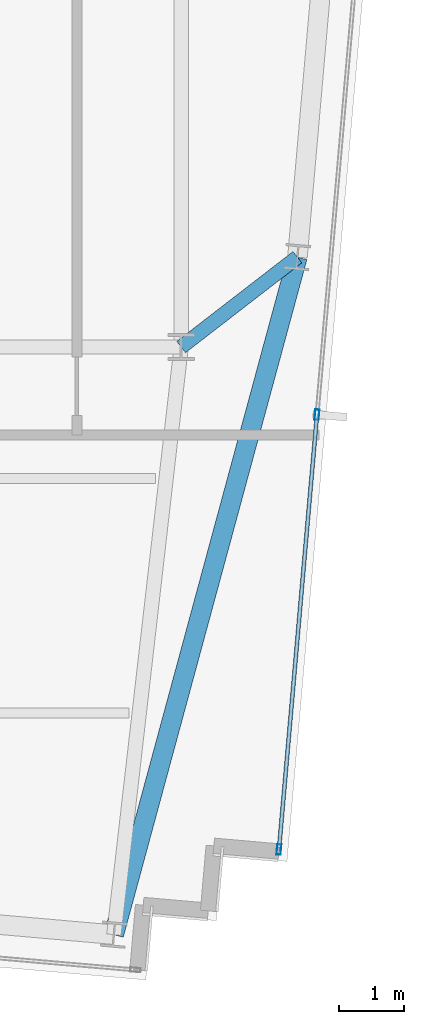
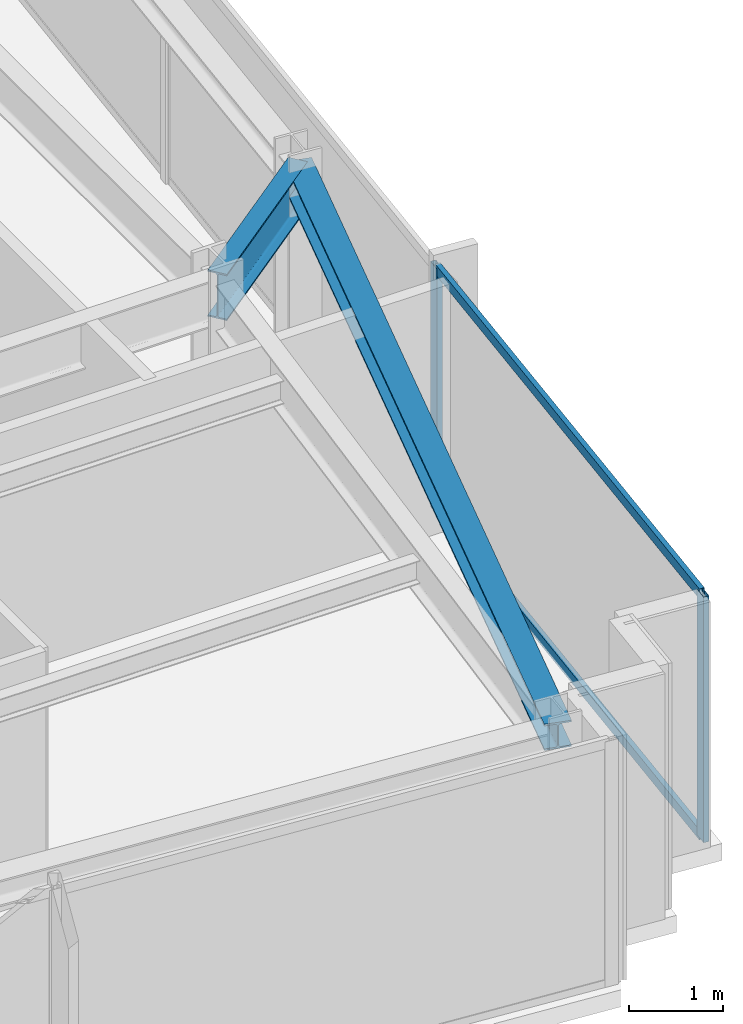
# One storey, part 16 of 33: 4 members, 2 beams, 1 element without a shape of its own.
"""IFC4 building model written with IfcOpenShell, lengths in metres."""

from ifc_helpers import new_model, si_unit, direction, frame, origin, origin_2d, place, context, subcontext, project, spatial, hollow_rectangle, i_section, extrude, material, material_profile, profile_set, type_object, element, aggregate, save


model = new_model("IFC4")

# Units and contexts
model_context = context("Model", 3, precision=1e-05, world=origin(), true_north=direction((0.0, 1.0)))
body_context = subcontext(model_context, "Body", "Model", "MODEL_VIEW")
ifc_project = project(units=[si_unit("LENGTHUNIT", "METRE"), si_unit("AREAUNIT", "SQUARE_METRE"), si_unit("VOLUMEUNIT", "CUBIC_METRE"), si_unit("PLANEANGLEUNIT", "RADIAN"), si_unit("MASSUNIT", "GRAM", prefix="KILO")], contexts=[model_context])

# Site, building, storey
site_placement = place(None, origin())
site = spatial("IfcSite", under=ifc_project, at=site_placement, CompositionType="ELEMENT")
building_placement = place(site_placement, origin())
building = spatial("IfcBuilding", under=site, at=building_placement, Name="Yelkora Congress Tower", CompositionType="ELEMENT")
storey_placement = place(building_placement, frame((0.0, 0.0, 289.699951171875)))
storey = spatial("IfcBuildingStorey", under=building, at=storey_placement, Name="L81", CompositionType="ELEMENT", Elevation=289.699951171875)

# Beams
ifc_material_1 = material(Name="Steel S355J2", Category="steel")
ifc_material_profile_1 = material_profile(ifc_material_1, i_section(OverallWidth=0.219970703125, OverallDepth=0.60009765625, WebThickness=0.011962890625, FlangeThickness=0.01904296875, FilletRadius=0.02392578125, at=origin_2d()), Name="IPE 600")
ifc_profile_set_1 = profile_set([ifc_material_profile_1], Name="Steel S355J2")
beam_type_1 = type_object("IfcBeamType", Name="BM-GIRD-IPE600", PredefinedType="BEAM", material=ifc_profile_set_1)
beam_1_placement = place(storey_placement, frame((55.543701171875, 26.57861328125, 2.880126953125), z_axis=(-0.791208781933, -0.611546125318, 0.0), x_axis=(0.611546125318, -0.791208781933, 0.0)))
element("IfcBeam", 1, at=beam_1_placement, inside=storey, type_object=beam_type_1, Name="L81 Primary Frame Girder E01", PredefinedType="BEAM", context=body_context, shape_type="SweptSolid", body=[
    extrude(i_section(OverallWidth=0.219970703125, OverallDepth=0.60009765625, WebThickness=0.011962890625, FlangeThickness=0.01904296875, FilletRadius=0.02392578125, at=origin_2d()), origin(), (0.0, 0.0, 1.0), 2.25439453125),
])
ifc_material_profile_2 = material_profile(ifc_material_1, i_section(OverallWidth=0.300048828125, OverallDepth=0.340087890625, WebThickness=0.011962890625, FlangeThickness=0.021484375, FilletRadius=0.027099609375, at=origin_2d()), Name="HEB 340")
ifc_profile_set_2 = profile_set([ifc_material_profile_2], Name="Steel S355J2")
beam_type_2 = type_object("IfcBeamType", Name="BM-SPAN-HEB340", PredefinedType="SPANDREL", material=ifc_profile_set_2)
beam_2_placement = place(storey_placement, frame((52.727294921875, 16.1845703125, 3.010009765625), z_axis=(0.261532523212, 0.965194663942, 0.0), x_axis=(-0.965194663942, 0.261532523212, 0.0)))
element("IfcBeam", 2, at=beam_2_placement, inside=storey, type_object=beam_type_2, Name="L81 Perimeter Beam 7", PredefinedType="SPANDREL", context=body_context, shape_type="SweptSolid", body=[
    extrude(i_section(OverallWidth=0.300048828125, OverallDepth=0.340087890625, WebThickness=0.011962890625, FlangeThickness=0.021484375, FilletRadius=0.027099609375, at=origin_2d()), origin(), (0.0, 0.0, 1.0), 10.768798828125),
])

# Curtain wall, members
ifc_material_2 = material(Name="Anodised aluminium and insulated glass", Category="aluminium")
curtain_wall_type = type_object("IfcCurtainWallType", Name="CW-SYS-B5", PredefinedType="NOTDEFINED", material=ifc_material_2)
curtain_wall_placement = place(storey_placement, origin())
curtain_wall = element("IfcCurtainWall", 3, at=curtain_wall_placement, inside=storey, type_object=curtain_wall_type, Name="L81 Unitised Curtain Wall 15", PredefinedType="NOTDEFINED")
ifc_material_3 = material(Name="Anodised aluminium 6063-T6", Category="aluminium")
ifc_material_profile_3 = material_profile(ifc_material_3, hollow_rectangle(XDim=0.06494140625, YDim=0.159912109375, WallThickness=0.00390625, at=origin_2d()), Name="ALU 65x160x4")
ifc_profile_set_3 = profile_set([ifc_material_profile_3], Name="Anodised aluminium 6063-T6")
member_type_1 = type_object("IfcMemberType", Name="MEM-ML-B5", PredefinedType="MULLION", material=ifc_profile_set_3)
member_1_placement = place(storey_placement, frame((55.844482421875, 24.1630859375, 0.0), z_axis=(0.0, 0.0, 1.0), x_axis=(0.996194463398, -0.087158425264, 0.0)))
member_1 = element("IfcMember", 4, at=member_1_placement, type_object=member_type_1, Name="CW-B5 mullion 4", PredefinedType="MULLION", context=body_context, shape_type="SweptSolid", body=[
    extrude(hollow_rectangle(XDim=0.06494140625, YDim=0.159912109375, WallThickness=0.00390625, at=origin_2d()), origin(), (0.0, 0.0, 1.0), 3.179931640625),
])
member_2_placement = place(storey_placement, frame((55.2607421875, 17.4912109375, 0.0), z_axis=(0.0, 0.0, 1.0), x_axis=(0.996194463398, -0.087158425264, 0.0)))
member_2 = element("IfcMember", 5, at=member_2_placement, type_object=member_type_1, Name="CW-B5 mullion 5", PredefinedType="MULLION", context=body_context, shape_type="SweptSolid", body=[
    extrude(hollow_rectangle(XDim=0.06494140625, YDim=0.159912109375, WallThickness=0.00390625, at=origin_2d()), origin(), (0.0, 0.0, 1.0), 3.179931640625),
])
ifc_material_profile_4 = material_profile(ifc_material_3, hollow_rectangle(XDim=0.06005859375, YDim=0.1298828125, WallThickness=0.00390625, at=origin_2d()), Name="ALU 60x130x4")
ifc_profile_set_4 = profile_set([ifc_material_profile_4], Name="Anodised aluminium 6063-T6")
member_type_2 = type_object("IfcMemberType", Name="MEM-TR-B5", PredefinedType="USERDEFINED", material=ifc_profile_set_4)
member_3_placement = place(storey_placement, frame((55.841552734375, 24.130859375, 0.030029296875), z_axis=(-0.087163297365, -0.996194037119, 0.0), x_axis=(0.996194037119, -0.087163297365, 0.0)))
member_3 = element("IfcMember", 6, at=member_3_placement, type_object=member_type_2, Name="CW-B5 transom 4.1", ObjectType="TRANSOM", PredefinedType="USERDEFINED", context=body_context, shape_type="SweptSolid", body=[
    extrude(hollow_rectangle(XDim=0.06005859375, YDim=0.1298828125, WallThickness=0.00390625, at=origin_2d()), origin(), (0.0, 0.0, 1.0), 6.632568359375),
])
member_4_placement = place(storey_placement, frame((55.841552734375, 24.130859375, 3.150146484375), z_axis=(-0.087163297365, -0.996194037119, 0.0), x_axis=(0.996194037119, -0.087163297365, 0.0)))
member_4 = element("IfcMember", 7, at=member_4_placement, type_object=member_type_2, Name="CW-B5 transom 4.2", ObjectType="TRANSOM", PredefinedType="USERDEFINED", context=body_context, shape_type="SweptSolid", body=[
    extrude(hollow_rectangle(XDim=0.06005859375, YDim=0.1298828125, WallThickness=0.00390625, at=origin_2d()), origin(), (0.0, 0.0, 1.0), 6.632568359375),
])
aggregate(curtain_wall, [member_1, member_2, member_3, member_4])

save(model, "model.ifc")
